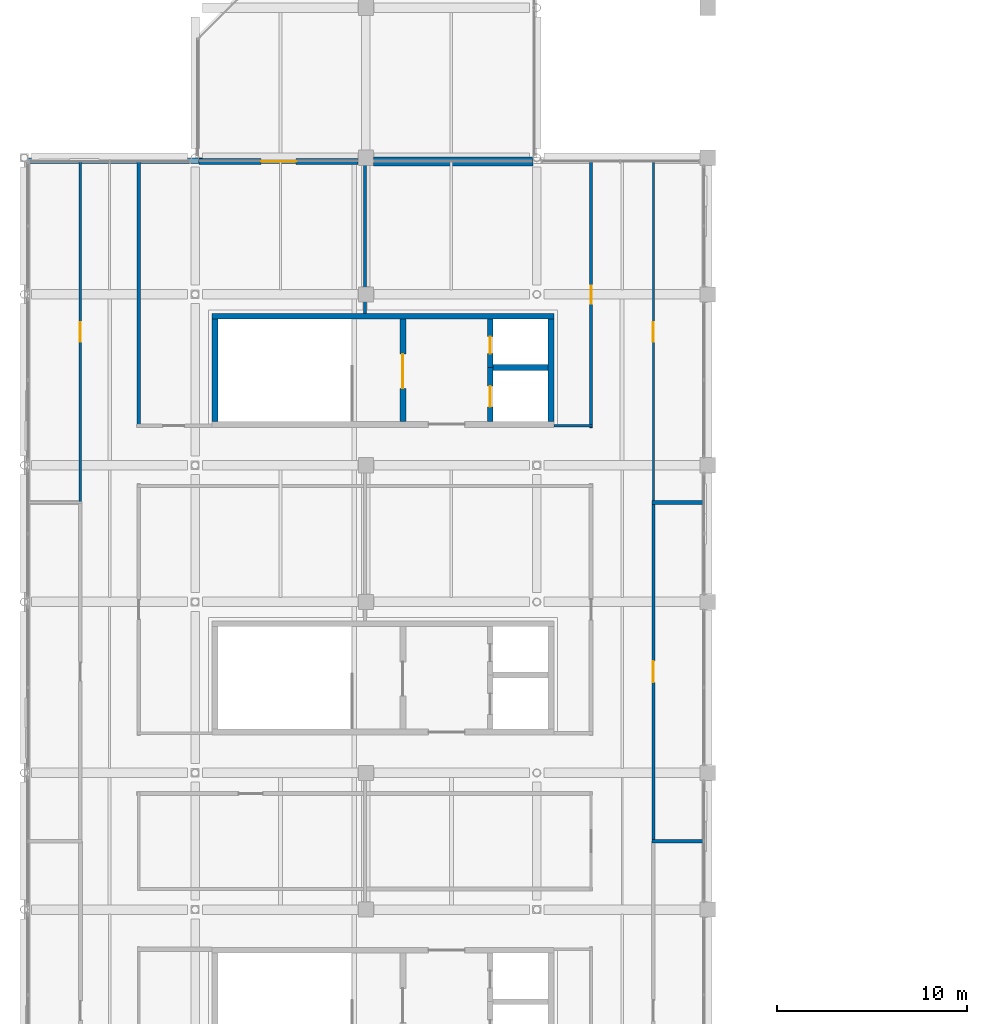
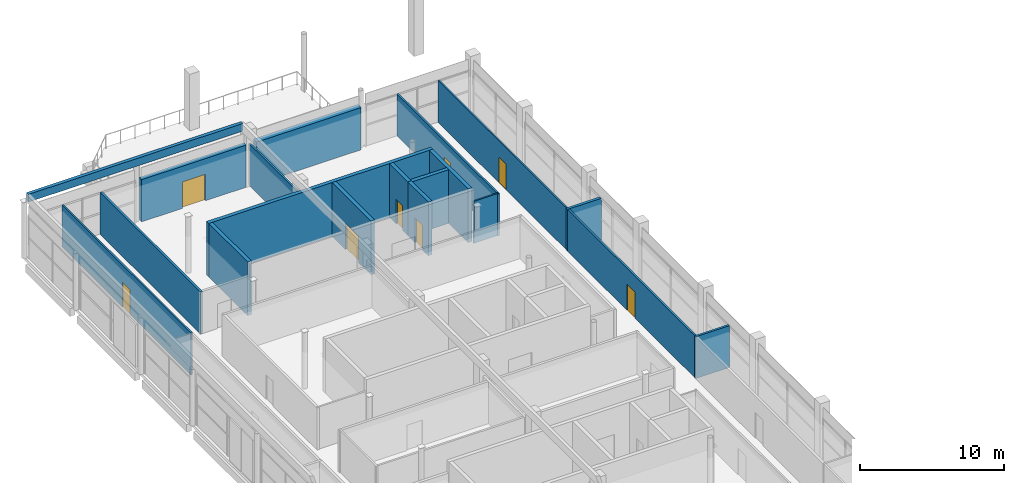
# One storey, part 105 of 114: 19 walls, 8 doors, 8 openings.
"""IFC4 building model written with IfcOpenShell, lengths in metres."""

from ifc_helpers import new_model, si_unit, direction, frame, frame_2d, origin, place, context, subcontext, project, spatial, rectangle, extrude, material, layer, layer_set, type_object, element, fill, save


model = new_model("IFC4")

# Units and contexts
model_context = context("Model", 3, precision=1e-05, world=origin(), true_north=direction((0.0, 1.0)))
body_context = subcontext(model_context, "Body", "Model", "MODEL_VIEW")
ifc_project = project(units=[si_unit("LENGTHUNIT", "METRE"), si_unit("AREAUNIT", "SQUARE_METRE"), si_unit("VOLUMEUNIT", "CUBIC_METRE"), si_unit("PLANEANGLEUNIT", "RADIAN"), si_unit("MASSUNIT", "GRAM", prefix="KILO"), si_unit("THERMODYNAMICTEMPERATUREUNIT", "KELVIN"), si_unit("POWERUNIT", "WATT")], contexts=[model_context])

# Site, building, storey
site_placement = place(None, origin())
site = spatial("IfcSite", under=ifc_project, at=site_placement, CompositionType="ELEMENT")
building_placement = place(site_placement, origin())
building = spatial("IfcBuilding", under=site, at=building_placement, Name="Sindhuravela Promenade Stadium", CompositionType="ELEMENT")
storey_placement = place(building_placement, frame((0.0, 0.0, 24.0)))
storey = spatial("IfcBuildingStorey", under=building, at=storey_placement, Name="L05", CompositionType="ELEMENT", Elevation=24.0)

# Wall, opening, door
ifc_material_1 = material(Name="Terracotta clay brick masonry (15 MPa)", Category="masonry")
ifc_layer_1 = layer(ifc_material_1, 0.340087890625)
ifc_layer_set_1 = layer_set([ifc_layer_1], Name="Terracotta clay brick masonry (15 MPa)")
wall_type_1 = type_object("IfcWallType", Name="EX-WL-BRK340", PredefinedType="SOLIDWALL", material=ifc_layer_set_1)
wall_1_placement = place(storey_placement, frame((9.208251953125, 116.800048828125, 0.0), z_axis=(0.0, 0.0, 1.0), x_axis=(1.0, 0.0, 0.0)))
wall_1 = element("IfcWall", 1, at=wall_1_placement, inside=storey, type_object=wall_type_1, Name="Exterior masonry wall EW06 WEST L05", PredefinedType="SOLIDWALL", context=body_context, shape_type="SweptSolid", body=[
    extrude(rectangle(XDim=8.38671875, YDim=0.340087890625, at=frame_2d((4.193359375, 0.0))), origin(), (0.0, 0.0, 1.0), 3.580078125),
])
opening_1_placement = place(wall_1_placement, frame((3.268310546875, 0.0, 0.0)))
opening_1 = element("IfcOpeningElement", 2, at=opening_1_placement, cuts=wall_1, Name="Opening TD02", PredefinedType="OPENING", context=body_context, shape_type="SweptSolid", body=[
    extrude(rectangle(XDim=1.85009765625, YDim=2.25, at=frame_2d((0.925048828125, 1.125))), frame((0.0, 0.179931640625, 0.0), z_axis=(0.0, -1.0, 0.0), x_axis=(1.0, 0.0, 0.0)), (0.0, 0.0, 1.0), 0.360107421875),
])
ifc_material_2 = material(Name="Anodised architectural aluminium 6063-T6", Category="aluminium")
door_type_1 = type_object("IfcDoorType", Name="DR-TER-1850x2250", OperationType="DOUBLE_DOOR_SINGLE_SWING", PredefinedType="DOOR", material=ifc_material_2)
door_1_placement = place(opening_1_placement, origin())
door_1 = element("IfcDoor", 3, at=door_1_placement, inside=storey, type_object=door_type_1, Name="Terrace access door West Stand North Observation Terrace", OperationType="DOUBLE_DOOR_SINGLE_SWING", OverallHeight=2.25, OverallWidth=1.85009765625, PredefinedType="DOOR", context=body_context, shape_type="SweptSolid", body=[
    extrude(rectangle(XDim=1.85009765625, YDim=2.25, at=frame_2d((0.925048828125, 1.125))), frame((0.0, 0.02490234375, 0.0), z_axis=(0.0, -1.0, 0.0), x_axis=(1.0, 0.0, 0.0)), (0.0, 0.0, 1.0), 0.050048828125),
])
fill(opening_1, door_1)

# Walls
ifc_layer_2 = layer(ifc_material_1, 0.4599609375)
ifc_layer_set_2 = layer_set([ifc_layer_2], Name="Terracotta clay brick masonry (15 MPa)")
wall_type_2 = type_object("IfcWallType", Name="EX-WL-BRK460", PredefinedType="SOLIDWALL", material=ifc_layer_set_2)
wall_2_placement = place(storey_placement, frame((18.405029296875, 116.800048828125, 0.0), z_axis=(0.0, 0.0, 1.0), x_axis=(1.0, 0.0, 0.0)))
element("IfcWall", 4, at=wall_2_placement, inside=storey, type_object=wall_type_2, Name="Exterior masonry wall EW01 WEST L05", PredefinedType="SOLIDWALL", context=body_context, shape_type="SweptSolid", body=[
    extrude(rectangle(XDim=8.38671875, YDim=0.4599609375, at=frame_2d((4.193359375, 0.0))), origin(), (0.0, 0.0, 1.0), 3.580078125),
])
ifc_layer_3 = layer(ifc_material_1, 0.27001953125)
ifc_layer_set_3 = layer_set([ifc_layer_3], Name="Terracotta clay brick masonry (15 MPa)")
wall_type_3 = type_object("IfcWallType", Name="EX-WL-PAR270", PredefinedType="PARAPET", material=ifc_layer_set_3)
wall_3_placement = place(storey_placement, frame((0.159912109375, 116.840087890625, 4.800048828125), z_axis=(0.0, 0.0, 1.0), x_axis=(1.0, 0.0, 0.0)))
element("IfcWall", 5, at=wall_3_placement, inside=storey, type_object=wall_type_3, Name="Maintenance roof parapet WEST 2", PredefinedType="PARAPET", context=body_context, shape_type="SweptSolid", body=[
    extrude(rectangle(XDim=17.22998046875, YDim=0.27001953125, at=frame_2d((8.614990234375, 0.0))), origin(), (0.0, 0.0, 1.0), 0.64990234375),
])

# Wall, opening, door
ifc_material_3 = material(Name="Fire-rated gypsum partition board", Category="gypsum")
ifc_layer_4 = layer(ifc_material_3, 0.110107421875)
ifc_layer_set_4 = layer_set([ifc_layer_4], Name="Fire-rated gypsum partition board")
wall_type_4 = type_object("IfcWallType", Name="IN-WL-PAR110", PredefinedType="PARTITIONING", material=ifc_layer_set_4)
wall_4_placement = place(storey_placement, frame((33.139892578125, 116.800048828125, 0.0), z_axis=(0.0, 0.0, 1.0), x_axis=(0.0, -1.0, 0.0)))
wall_4 = element("IfcWall", 6, at=wall_4_placement, inside=storey, type_object=wall_type_4, Name="Corridor partition IW06 Stadium Control and Security Room 7", PredefinedType="PARTITIONING", context=body_context, shape_type="SweptSolid", body=[
    extrude(rectangle(XDim=17.9599609375, YDim=0.110107421875, at=frame_2d((8.97998046875, 0.0))), origin(), (0.0, 0.0, 1.0), 3.56005859375),
])
opening_2_placement = place(wall_4_placement, frame((8.469970703125, 0.0, 0.0)))
opening_2 = element("IfcOpeningElement", 7, at=opening_2_placement, cuts=wall_4, Name="Opening ID11", PredefinedType="OPENING", context=body_context, shape_type="SweptSolid", body=[
    extrude(rectangle(XDim=1.02001953125, YDim=2.159912109375, at=frame_2d((0.510009765625, 1.080078125))), frame((0.0, 0.06494140625, 0.0), z_axis=(0.0, -1.0, 0.0), x_axis=(1.0, 0.0, 0.0)), (0.0, 0.0, 1.0), 0.130126953125),
])
ifc_material_4 = material(Name="Architectural teak timber leaf", Category="wood")
door_type_2 = type_object("IfcDoorType", Name="DR-INT-1020x2160", OperationType="NOTDEFINED", PredefinedType="DOOR", material=ifc_material_4)
door_2_placement = place(opening_2_placement, origin())
door_2 = element("IfcDoor", 8, at=door_2_placement, inside=storey, type_object=door_type_2, Name="Stadium Control and Security Room 7 door", OperationType="SINGLE_SWING_LEFT", OverallHeight=2.159912109375, OverallWidth=1.02001953125, PredefinedType="DOOR", context=body_context, shape_type="SweptSolid", body=[
    extrude(rectangle(XDim=1.02001953125, YDim=2.159912109375, at=frame_2d((0.510009765625, 1.080078125))), frame((0.0, 0.02490234375, 0.0), z_axis=(0.0, -1.0, 0.0), x_axis=(1.0, 0.0, 0.0)), (0.0, 0.0, 1.0), 0.050048828125),
])
fill(opening_2, door_2)

# Wall
ifc_layer_5 = layer(ifc_material_3, 0.1298828125)
ifc_layer_set_5 = layer_set([ifc_layer_5], Name="Fire-rated gypsum partition board")
wall_type_5 = type_object("IfcWallType", Name="IN-WL-PAR130", PredefinedType="PARTITIONING", material=ifc_layer_set_5)
wall_5_placement = place(storey_placement, frame((29.93994140625, 102.889892578125, 0.0), z_axis=(0.0, 0.0, 1.0), x_axis=(-1.0, 0.0, 0.0)))
element("IfcWall", 9, at=wall_5_placement, inside=storey, type_object=wall_type_5, Name="Interior partition IW05 WEST L05", PredefinedType="PARTITIONING", context=body_context, shape_type="SweptSolid", body=[
    extrude(rectangle(XDim=2.037841796875, YDim=0.1298828125, at=frame_2d((1.01904296875, 0.0))), origin(), (0.0, 0.0, 1.0), 3.56005859375),
])

# Wall, opening, door
wall_6_placement = place(storey_placement, frame((2.9599609375, 98.840087890625, 0.0), z_axis=(0.0, 0.0, 1.0), x_axis=(0.0, 1.0, 0.0)))
wall_6 = element("IfcWall", 10, at=wall_6_placement, inside=storey, type_object=wall_type_5, Name="Corridor partition IW05 Media Centre Workroom 3", PredefinedType="PARTITIONING", context=body_context, shape_type="SweptSolid", body=[
    extrude(rectangle(XDim=17.9599609375, YDim=0.1298828125, at=frame_2d((8.97998046875, 0.0))), origin(), (0.0, 0.0, 1.0), 3.56005859375),
])
opening_3_placement = place(wall_6_placement, frame((8.455078125, 0.0, 0.0)))
opening_3 = element("IfcOpeningElement", 11, at=opening_3_placement, cuts=wall_6, Name="Opening ID07", PredefinedType="OPENING", context=body_context, shape_type="SweptSolid", body=[
    extrude(rectangle(XDim=1.050048828125, YDim=2.10009765625, at=frame_2d((0.52490234375, 1.050048828125))), frame((0.0, 0.074951171875, 0.0), z_axis=(0.0, -1.0, 0.0), x_axis=(1.0, 0.0, 0.0)), (0.0, 0.0, 1.0), 0.14990234375),
])
door_type_3 = type_object("IfcDoorType", Name="DR-INT-1050x2100", OperationType="NOTDEFINED", PredefinedType="DOOR", material=ifc_material_4)
door_3_placement = place(opening_3_placement, origin())
door_3 = element("IfcDoor", 12, at=door_3_placement, inside=storey, type_object=door_type_3, Name="Media Centre Workroom 3 door", OperationType="SINGLE_SWING_LEFT", OverallHeight=2.10009765625, OverallWidth=1.050048828125, PredefinedType="DOOR", context=body_context, shape_type="SweptSolid", body=[
    extrude(rectangle(XDim=1.050048828125, YDim=2.10009765625, at=frame_2d((0.52490234375, 1.050048828125))), frame((0.0, 0.02490234375, 0.0), z_axis=(0.0, -1.0, 0.0), x_axis=(1.0, 0.0, 0.0)), (0.0, 0.0, 1.0), 0.050048828125),
])
fill(opening_3, door_3)

# Wall
ifc_layer_6 = layer(ifc_material_3, 0.14990234375)
ifc_layer_set_6 = layer_set([ifc_layer_6], Name="Fire-rated gypsum partition board")
wall_type_6 = type_object("IfcWallType", Name="IN-WL-PAR150", PredefinedType="PARTITIONING", material=ifc_layer_set_6)
wall_7_placement = place(storey_placement, frame((17.949951171875, 116.760009765625, 0.0), z_axis=(0.0, 0.0, 1.0), x_axis=(0.0, -1.0, 0.0)))
element("IfcWall", 13, at=wall_7_placement, inside=storey, type_object=wall_type_6, Name="Interior partition IW04 WEST L05", PredefinedType="PARTITIONING", context=body_context, shape_type="SweptSolid", body=[
    extrude(rectangle(XDim=7.9580078125, YDim=0.14990234375, at=frame_2d((3.97900390625, 0.0))), origin(), (0.0, 0.0, 1.0), 3.56005859375),
])

# Wall, opening, door
wall_8_placement = place(storey_placement, frame((29.860107421875, 102.77001953125, 0.0), z_axis=(0.0, 0.0, 1.0), x_axis=(0.0, 1.0, 0.0)))
wall_8 = element("IfcWall", 14, at=wall_8_placement, inside=storey, type_object=wall_type_6, Name="Corridor partition IW04 Television Broadcast Studio B", PredefinedType="PARTITIONING", context=body_context, shape_type="SweptSolid", body=[
    extrude(rectangle(XDim=14.030029296875, YDim=0.14990234375, at=frame_2d((7.01513671875, 0.0))), origin(), (0.0, 0.0, 1.0), 3.56005859375),
])
opening_4_placement = place(wall_8_placement, frame((6.5400390625, 0.0, 0.0)))
opening_4 = element("IfcOpeningElement", 15, at=opening_4_placement, cuts=wall_8, Name="Opening ID10", PredefinedType="OPENING", context=body_context, shape_type="SweptSolid", body=[
    extrude(rectangle(XDim=0.949951171875, YDim=2.179931640625, at=frame_2d((0.47509765625, 1.08984375))), frame((0.0, 0.0849609375, 0.0), z_axis=(0.0, -1.0, 0.0), x_axis=(1.0, 0.0, 0.0)), (0.0, 0.0, 1.0), 0.169921875),
])
door_type_4 = type_object("IfcDoorType", Name="DR-INT-950x2180", OperationType="NOTDEFINED", PredefinedType="DOOR", material=ifc_material_4)
door_4_placement = place(opening_4_placement, origin())
door_4 = element("IfcDoor", 16, at=door_4_placement, inside=storey, type_object=door_type_4, Name="Television Broadcast Studio B door", OperationType="SINGLE_SWING_RIGHT", OverallHeight=2.179931640625, OverallWidth=0.949951171875, PredefinedType="DOOR", context=body_context, shape_type="SweptSolid", body=[
    extrude(rectangle(XDim=0.949951171875, YDim=2.179931640625, at=frame_2d((0.47509765625, 1.08984375))), frame((0.0, 0.02490234375, 0.0), z_axis=(0.0, -1.0, 0.0), x_axis=(1.0, 0.0, 0.0)), (0.0, 0.0, 1.0), 0.050048828125),
])
fill(opening_4, door_4)

wall_9_placement = place(storey_placement, frame((33.139892578125, 98.840087890625, 0.0), z_axis=(0.0, 0.0, 1.0), x_axis=(0.0, -1.0, 0.0)))
wall_9 = element("IfcWall", 17, at=wall_9_placement, inside=storey, type_object=wall_type_6, Name="Corridor partition IW04 Media Dining Lounge 9", PredefinedType="PARTITIONING", context=body_context, shape_type="SweptSolid", body=[
    extrude(rectangle(XDim=17.840087890625, YDim=0.14990234375, at=frame_2d((8.919921875, 0.0))), origin(), (0.0, 0.0, 1.0), 3.56005859375),
])
opening_5_placement = place(wall_9_placement, frame((8.360107421875, 0.0, 0.0)))
opening_5 = element("IfcOpeningElement", 18, at=opening_5_placement, cuts=wall_9, Name="Opening ID13", PredefinedType="OPENING", context=body_context, shape_type="SweptSolid", body=[
    extrude(rectangle(XDim=1.1201171875, YDim=2.219970703125, at=frame_2d((0.56005859375, 1.10986328125))), frame((0.0, 0.0849609375, 0.0), z_axis=(0.0, -1.0, 0.0), x_axis=(1.0, 0.0, 0.0)), (0.0, 0.0, 1.0), 0.169921875),
])
door_type_5 = type_object("IfcDoorType", Name="DR-INT-1120x2220", OperationType="NOTDEFINED", PredefinedType="DOOR", material=ifc_material_4)
door_5_placement = place(opening_5_placement, origin())
door_5 = element("IfcDoor", 19, at=door_5_placement, inside=storey, type_object=door_type_5, Name="Media Dining Lounge 9 door", OperationType="SINGLE_SWING_LEFT", OverallHeight=2.219970703125, OverallWidth=1.1201171875, PredefinedType="DOOR", context=body_context, shape_type="SweptSolid", body=[
    extrude(rectangle(XDim=1.1201171875, YDim=2.219970703125, at=frame_2d((0.56005859375, 1.10986328125))), frame((0.0, 0.02490234375, 0.0), z_axis=(0.0, -1.0, 0.0), x_axis=(1.0, 0.0, 0.0)), (0.0, 0.0, 1.0), 0.050048828125),
])
fill(opening_5, door_5)

# Walls
ifc_layer_7 = layer(ifc_material_3, 0.175048828125)
ifc_layer_set_7 = layer_set([ifc_layer_7], Name="Fire-rated gypsum partition board")
wall_type_7 = type_object("IfcWallType", Name="IN-WL-PAR175", PredefinedType="PARTITIONING", material=ifc_layer_set_7)
wall_10_placement = place(storey_placement, frame((6.0400390625, 102.81005859375, 0.0), z_axis=(0.0, 0.0, 1.0), x_axis=(0.0, 1.0, 0.0)))
element("IfcWall", 20, at=wall_10_placement, inside=storey, type_object=wall_type_7, Name="Interior partition IW03 WEST L05", PredefinedType="PARTITIONING", context=body_context, shape_type="SweptSolid", body=[
    extrude(rectangle(XDim=13.95703125, YDim=0.175048828125, at=frame_2d((6.978515625, 0.0))), origin(), (0.0, 0.0, 1.0), 3.56005859375),
])
wall_11_placement = place(storey_placement, frame((33.06005859375, 81.0, 0.0), z_axis=(0.0, 0.0, 1.0), x_axis=(1.0, 0.0, 0.0)))
element("IfcWall", 21, at=wall_11_placement, inside=storey, type_object=wall_type_7, Name="Interior partition IW03 WEST L05", PredefinedType="PARTITIONING", context=body_context, shape_type="SweptSolid", body=[
    extrude(rectangle(XDim=2.699951171875, YDim=0.175048828125, at=frame_2d((1.35009765625, 0.0))), origin(), (0.0, 0.0, 1.0), 3.56005859375),
])
ifc_layer_8 = layer(ifc_material_3, 0.219970703125)
ifc_layer_set_8 = layer_set([ifc_layer_8], Name="Fire-rated gypsum partition board")
wall_type_8 = type_object("IfcWallType", Name="IN-WL-PAR220", PredefinedType="PARTITIONING", material=ifc_layer_set_8)
wall_12_placement = place(storey_placement, frame((35.76708984375, 98.840087890625, 0.0), z_axis=(0.0, 0.0, 1.0), x_axis=(-1.0, 0.0, 0.0)))
element("IfcWall", 22, at=wall_12_placement, inside=storey, type_object=wall_type_8, Name="Interior partition IW01 WEST L05", PredefinedType="PARTITIONING", context=body_context, shape_type="SweptSolid", body=[
    extrude(rectangle(XDim=2.70703125, YDim=0.219970703125, at=frame_2d((1.353515625, 0.0))), origin(), (0.0, 0.0, 1.0), 3.56005859375),
])
ifc_material_5 = material(Name="Concrete M50", Category="concrete")
ifc_layer_9 = layer(ifc_material_5, 0.300048828125)
ifc_layer_set_9 = layer_set([ifc_layer_9], Name="Concrete M50")
wall_type_9 = type_object("IfcWallType", Name="RC-SW-300", PredefinedType="SHEAR", material=ifc_layer_set_9)
wall_13_placement = place(storey_placement, frame((27.89990234375, 108.64990234375, 0.0), z_axis=(0.0, 0.0, 1.0), x_axis=(-1.0, 0.0, 0.0)))
element("IfcWall", 23, at=wall_13_placement, inside=storey, type_object=wall_type_9, Name="Core shear wall C04-N (L05)", PredefinedType="SHEAR", context=body_context, shape_type="SweptSolid", body=[
    extrude(rectangle(XDim=18.0, YDim=0.300048828125, at=frame_2d((9.0, 0.0))), origin(), (0.0, 0.0, 1.0), 4.56005859375),
])
for number, where, z_axis, x_axis, name in (
    (24, (10.050048828125, 108.5, 0.0), (0.0, 0.0, 1.0), (0.0, -1.0, 0.0), "Core shear wall C04-W (L05)"),
    (25, (27.75, 103.10009765625, 0.0), (0.0, 0.0, 1.0), (0.0, 1.0, 0.0), "Core shear wall C04-E (L05)"),
):
    element("IfcWall", number, at=place(storey_placement, frame(where, z_axis=z_axis, x_axis=x_axis)), inside=storey, type_object=wall_type_9, Name=name, PredefinedType="SHEAR", context=body_context, shape_type="SweptSolid", body=[
        extrude(rectangle(XDim=5.39990234375, YDim=0.300048828125, at=frame_2d((2.699951171875, 0.0))), origin(), (0.0, 0.0, 1.0), 4.56005859375),
    ])

# Wall, opening, door
wall_14_placement = place(storey_placement, frame((19.949951171875, 103.10009765625, 0.0), z_axis=(0.0, 0.0, 1.0), x_axis=(0.0, 1.0, 0.0)))
wall_14 = element("IfcWall", 26, at=wall_14_placement, inside=storey, type_object=wall_type_9, Name="Core shear wall C04-ST (L05)", PredefinedType="SHEAR", context=body_context, shape_type="SweptSolid", body=[
    extrude(rectangle(XDim=5.39990234375, YDim=0.300048828125, at=frame_2d((2.699951171875, 0.0))), origin(), (0.0, 0.0, 1.0), 4.56005859375),
])
opening_6_placement = place(wall_14_placement, frame((1.75, 0.0, 0.0)))
opening_6 = element("IfcOpeningElement", 27, at=opening_6_placement, cuts=wall_14, Name="Opening FD01", PredefinedType="OPENING", context=body_context, shape_type="SweptSolid", body=[
    extrude(rectangle(XDim=1.800048828125, YDim=2.25, at=frame_2d((0.89990234375, 1.125))), frame((0.0, 0.159912109375, 0.0), z_axis=(0.0, -1.0, 0.0), x_axis=(1.0, 0.0, 0.0)), (0.0, 0.0, 1.0), 0.320068359375),
])
ifc_material_6 = material(Name="Architectural wrought steel E350", Category="steel")
door_type_6 = type_object("IfcDoorType", Name="DR-CORE-1800x2250", OperationType="DOUBLE_DOOR_SINGLE_SWING", PredefinedType="DOOR", material=ifc_material_6)
door_6_placement = place(opening_6_placement, origin())
door_6 = element("IfcDoor", 28, at=door_6_placement, inside=storey, type_object=door_type_6, Name="Stair ST04 lobby fire door (L05)", OperationType="DOUBLE_DOOR_SINGLE_SWING", OverallHeight=2.25, OverallWidth=1.800048828125, PredefinedType="DOOR", context=body_context, shape_type="SweptSolid", body=[
    extrude(rectangle(XDim=1.800048828125, YDim=2.25, at=frame_2d((0.89990234375, 1.125))), frame((0.0, 0.02490234375, 0.0), z_axis=(0.0, -1.0, 0.0), x_axis=(1.0, 0.0, 0.0)), (0.0, 0.0, 1.0), 0.050048828125),
])
fill(opening_6, door_6)

wall_15_placement = place(storey_placement, frame((24.550048828125, 103.10009765625, 0.0), z_axis=(0.0, 0.0, 1.0), x_axis=(0.0, 1.0, 0.0)))
wall_15 = element("IfcWall", 29, at=wall_15_placement, inside=storey, type_object=wall_type_9, Name="Core shear wall C04-LFT (L05)", PredefinedType="SHEAR", context=body_context, shape_type="SweptSolid", body=[
    extrude(rectangle(XDim=2.849853515625, YDim=0.300048828125, at=frame_2d((1.4248046875, 0.0))), origin(), (0.0, 0.0, 1.0), 4.56005859375),
])
opening_7_placement = place(wall_15_placement, frame((0.77490234375, 0.0, 0.0)))
opening_7 = element("IfcOpeningElement", 30, at=opening_7_placement, cuts=wall_15, Name="Opening LD", PredefinedType="OPENING", context=body_context, shape_type="SweptSolid", body=[
    extrude(rectangle(XDim=1.10009765625, YDim=2.10009765625, at=frame_2d((0.550048828125, 1.050048828125))), frame((0.0, 0.159912109375, 0.0), z_axis=(0.0, -1.0, 0.0), x_axis=(1.0, 0.0, 0.0)), (0.0, 0.0, 1.0), 0.320068359375),
])
door_type_7 = type_object("IfcDoorType", Name="DR-LFT-1100x2100", OperationType="DOUBLE_DOOR_SLIDING", PredefinedType="DOOR", material=ifc_material_6)
door_7_placement = place(opening_7_placement, origin())
door_7 = element("IfcDoor", 31, at=door_7_placement, inside=storey, type_object=door_type_7, Name="Lift FL04 landing door (L05)", OperationType="DOUBLE_DOOR_SLIDING", OverallHeight=2.10009765625, OverallWidth=1.10009765625, PredefinedType="DOOR", context=body_context, shape_type="SweptSolid", body=[
    extrude(rectangle(XDim=1.10009765625, YDim=2.10009765625, at=frame_2d((0.550048828125, 1.050048828125))), frame((0.0, 0.02490234375, 0.0), z_axis=(0.0, -1.0, 0.0), x_axis=(1.0, 0.0, 0.0)), (0.0, 0.0, 1.0), 0.050048828125),
])
fill(opening_7, door_7)

wall_16_placement = place(storey_placement, frame((24.550048828125, 105.949951171875, 0.0), z_axis=(0.0, 0.0, 1.0), x_axis=(0.0, 1.0, 0.0)))
wall_16 = element("IfcWall", 32, at=wall_16_placement, inside=storey, type_object=wall_type_9, Name="Core shear wall C04-RSR (L05)", PredefinedType="SHEAR", context=body_context, shape_type="SweptSolid", body=[
    extrude(rectangle(XDim=2.550048828125, YDim=0.300048828125, at=frame_2d((1.27490234375, 0.0))), origin(), (0.0, 0.0, 1.0), 4.56005859375),
])
opening_8_placement = place(wall_16_placement, frame((0.72509765625, 0.0, 0.0)))
opening_8 = element("IfcOpeningElement", 33, at=opening_8_placement, cuts=wall_16, Name="Opening FD03", PredefinedType="OPENING", context=body_context, shape_type="SweptSolid", body=[
    extrude(rectangle(XDim=0.89990234375, YDim=2.10009765625, at=frame_2d((0.449951171875, 1.050048828125))), frame((0.0, 0.159912109375, 0.0), z_axis=(0.0, -1.0, 0.0), x_axis=(1.0, 0.0, 0.0)), (0.0, 0.0, 1.0), 0.320068359375),
])
door_type_8 = type_object("IfcDoorType", Name="DR-RSR-900x2100", OperationType="NOTDEFINED", PredefinedType="DOOR", material=ifc_material_6)
door_8_placement = place(opening_8_placement, origin())
door_8 = element("IfcDoor", 34, at=door_8_placement, inside=storey, type_object=door_type_8, Name="Riser shaft access door C04 (L05)", OperationType="SINGLE_SWING_RIGHT", OverallHeight=2.10009765625, OverallWidth=0.89990234375, PredefinedType="DOOR", context=body_context, shape_type="SweptSolid", body=[
    extrude(rectangle(XDim=0.89990234375, YDim=2.10009765625, at=frame_2d((0.449951171875, 1.050048828125))), frame((0.0, 0.02490234375, 0.0), z_axis=(0.0, -1.0, 0.0), x_axis=(1.0, 0.0, 0.0)), (0.0, 0.0, 1.0), 0.050048828125),
])
fill(opening_8, door_8)

# Wall
wall_17_placement = place(storey_placement, frame((24.699951171875, 105.949951171875, 0.0), z_axis=(0.0, 0.0, 1.0), x_axis=(1.0, 0.0, 0.0)))
element("IfcWall", 35, at=wall_17_placement, inside=storey, type_object=wall_type_9, Name="Core shear wall C04-DIV (L05)", PredefinedType="SHEAR", context=body_context, shape_type="SweptSolid", body=[
    extrude(rectangle(XDim=2.900146484375, YDim=0.300048828125, at=frame_2d((1.4501953125, 0.0))), origin(), (0.0, 0.0, 1.0), 4.56005859375),
])

save(model, "model.ifc")
